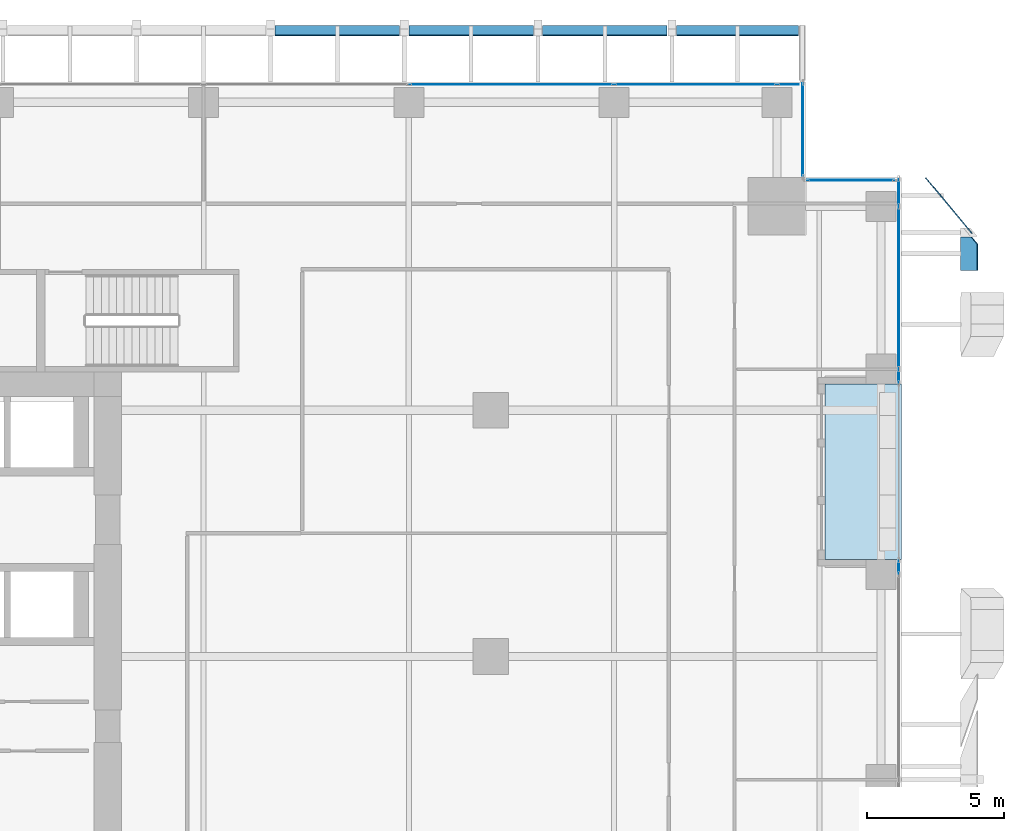
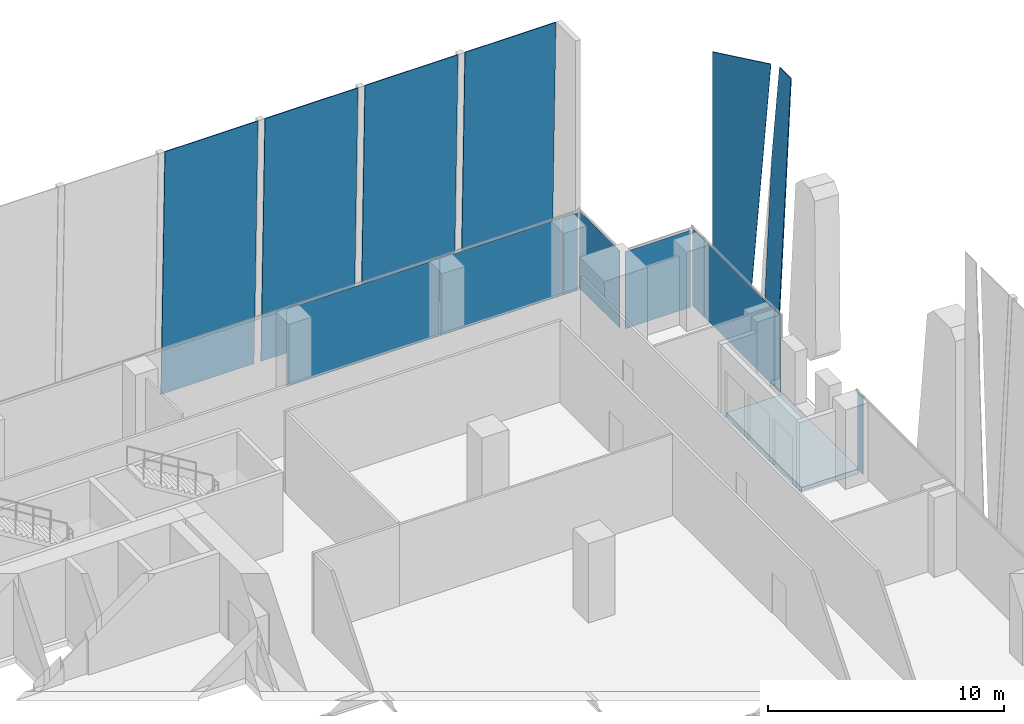
# One storey, part 26 of 35: 15 plates, 1 slab, 5 elements without a shape of their own.
"""IFC4 building model written with IfcOpenShell, lengths in metres."""

from ifc_helpers import new_model, si_unit, direction, frame, origin, origin_2d, place, context, subcontext, project, spatial, polyline, rectangle, outline, extrude, source, transform, mapped, material, layer, layer_set, type_object, element, aggregate, save


model = new_model("IFC4")

# Units and contexts
model_context = context("Model", 3, precision=1e-05, world=origin(), true_north=direction((0.0, 1.0)))
body_context = subcontext(model_context, "Body", "Model", "MODEL_VIEW")
ifc_project = project(units=[si_unit("LENGTHUNIT", "METRE"), si_unit("AREAUNIT", "SQUARE_METRE"), si_unit("VOLUMEUNIT", "CUBIC_METRE"), si_unit("PLANEANGLEUNIT", "RADIAN"), si_unit("MASSUNIT", "GRAM", prefix="KILO")], contexts=[model_context])

# Site, building, storey
site_placement = place(None, origin())
site = spatial("IfcSite", under=ifc_project, at=site_placement, CompositionType="ELEMENT")
building_placement = place(site_placement, origin())
building = spatial("IfcBuilding", under=site, at=building_placement, Name="Khomas Fold Tower", CompositionType="ELEMENT")
storey_placement = place(building_placement, frame((0.0, 0.0, 127.89990234375)))
storey = spatial("IfcBuildingStorey", under=building, at=storey_placement, Name="L27", CompositionType="ELEMENT", Elevation=127.89990234375)

# Plates
ifc_material_1 = material(Name="Clear laminated glass", Category="glass")
ifc_layer_1 = layer(ifc_material_1, 0.0400390625)
ifc_layer_set_1 = layer_set([ifc_layer_1], Name="Clear laminated glass")
plate_type_1 = type_object("IfcPlateType", Name="SK-Clear laminated glass leaf", PredefinedType="SHEET", material=ifc_layer_set_1)
plate_1_placement = place(storey_placement, frame((55.25830078125, 45.60009765625, 12.75), z_axis=(-0.998875188287, 7.7752314e-05, 0.047416792155), x_axis=(7.7664857e-05, 0.999999996977, -3.686765e-06)))
element("IfcPlate", 1, at=plate_1_placement, inside=storey, type_object=plate_type_1, Name="OUTER SKIN glass L27 EG106-11", PredefinedType="SHEET", context=body_context, shape_type="SweptSolid", body=[
    extrude(outline(polyline([(0.0, 0.0), (0.9694824189445347, 4.105917765560091e-22), (1.2299804799036271, 4.576183183202534), (1.2299804666069452, 12.764356498757895), (1.5748206985767067e-09, 12.764356498757895), (0.0, 0.0)])), origin(), (0.0, 0.0, -1.0), 0.0400390625),
])
plate_2_placement = place(storey_placement, frame((54.486328125, 47.696533203125, 0.0), z_axis=(0.768179771349, 0.640234206269, 3.629658e-06), x_axis=(0.047341412225, -0.056807859659, 0.997262080784)))
element("IfcPlate", 2, at=plate_2_placement, inside=storey, type_object=plate_type_1, Name="OUTER SKIN glass L27 EG107-13", PredefinedType="SHEET", context=body_context, shape_type="SweptSolid", body=[
    extrude(outline(polyline([(0.0, 0.0), (12.785004309143451, 0.0), (12.589611440366076, -2.635057959386061), (-0.12548008962909313, -1.6922178978149516), (0.0, 0.0)])), origin(), (0.0, 0.0, -1.0), 0.0400390625),
])
for number, where, z_axis, x_axis, name in (
    (3, (29.614501953125, 54.548583984375, 0.001220703125), (0.0, 0.999657592188, 0.026166741891), (1.0, 0.0, 0.0), "OUTER SKIN glass L27 N11"),
    (4, (34.50341796875, 54.548583984375, 0.001220703125), (0.0, 0.999657592188, 0.026166741891), (1.0, 0.0, 0.0), "OUTER SKIN glass L27 N13"),
    (5, (39.392333984375, 54.548583984375, 0.001220703125), (0.0, 0.999657592188, 0.026166741891), (1.0, 0.0, 0.0), "OUTER SKIN glass L27 N15"),
):
    element("IfcPlate", number, at=place(storey_placement, frame(where, z_axis=z_axis, x_axis=x_axis)), inside=storey, type_object=plate_type_1, Name=name, PredefinedType="SHEET", context=body_context, shape_type="SweptSolid", body=[
        extrude(outline(polyline([(0.0, 0.0), (4.548828125, 0.0), (4.548828125, -12.75436719496662), (0.0, -12.75436719496662), (0.0, 0.0)])), origin(), (0.0, 0.0, -1.0), 0.0400390625),
    ])
plate_3_placement = place(storey_placement, frame((44.281005859375, 54.548583984375, 0.001220703125), z_axis=(0.0, 0.999657592188, 0.026166741891), x_axis=(1.0, 0.0, 0.0)))
element("IfcPlate", 6, at=plate_3_placement, inside=storey, type_object=plate_type_1, Name="OUTER SKIN glass L27 N17", PredefinedType="SHEET", context=body_context, shape_type="SweptSolid", body=[
    extrude(outline(polyline([(0.0, 0.0), (4.448974609375, 0.0), (4.448974609375, -12.75436719496662), (0.0, -12.75436719496662), (0.0, 0.0)])), origin(), (0.0, 0.0, -1.0), 0.0400390625),
])

# Curtain wall, plate
ifc_material_2 = material(Name="Aluminium framed double glazing", Category="aluminium")
curtain_wall_type = type_object("IfcCurtainWallType", Name="SK-Unitised clear-glass wall, growing floors CW1", PredefinedType="NOTDEFINED", material=ifc_material_2)
curtain_wall_1_placement = place(storey_placement, origin())
curtain_wall_1 = element("IfcCurtainWall", 7, at=curtain_wall_1_placement, inside=storey, type_object=curtain_wall_type, Name="CW1 run L27 06-0", PredefinedType="NOTDEFINED")
ifc_material_3 = material(Name="Clear double glazed unit")
ifc_layer_2 = layer(ifc_material_3, 0.031982421875)
ifc_layer_set_2 = layer_set([ifc_layer_2], Name="Clear double glazed unit")
plate_type_2 = type_object("IfcPlateType", Name="SK-Unitised clear-glass wall, growing floors glass panel CW1-P", PredefinedType="CURTAIN_PANEL", material=ifc_layer_set_2)
shared_shape_1 = source(origin(), body_context, "Body", "SweptSolid", [
    extrude(rectangle(XDim=0.760009765625, YDim=0.031982421875, at=origin_2d()), origin(), (0.0, 0.0, 1.0), 3.97998046875),
])
plate_4_placement = place(storey_placement, frame((48.360107421875, 52.39990234375, 0.0), z_axis=(0.0, 0.0, 1.0), x_axis=(-1.0, 0.0, 0.0)))
plate_4 = element("IfcPlate", 8, at=plate_4_placement, type_object=plate_type_2, Name="CW1 glass panel 1", PredefinedType="CURTAIN_PANEL", context=body_context, shape_type="MappedRepresentation", body=[
    mapped(shared_shape_1, transform((0.0, 0.0, 0.0))),
])

curtain_wall_2_placement = place(storey_placement, origin())
curtain_wall_2 = element("IfcCurtainWall", 9, at=curtain_wall_2_placement, inside=storey, type_object=curtain_wall_type, Name="CW1 run L27 03-1", PredefinedType="NOTDEFINED")
shared_shape_2 = source(origin(), body_context, "Body", "SweptSolid", [
    extrude(rectangle(XDim=5.889892578125, YDim=0.031982421875, at=origin_2d()), origin(), (0.0, 0.0, 1.0), 3.97998046875),
])
plate_5_placement = place(storey_placement, frame((52.39990234375, 44.97509765625, 0.0), z_axis=(0.0, 0.0, 1.0), x_axis=(0.0, 1.0, 0.0)))
plate_5 = element("IfcPlate", 10, at=plate_5_placement, type_object=plate_type_2, Name="CW1 glass panel 2", PredefinedType="CURTAIN_PANEL", context=body_context, shape_type="MappedRepresentation", body=[
    mapped(shared_shape_2, transform((0.0, 0.0, 0.0))),
])

# Plate
plate_6_placement = place(storey_placement, frame((44.97509765625, 52.39990234375, 0.0), z_axis=(0.0, 0.0, 1.0), x_axis=(-1.0, 0.0, 0.0)))
plate_6 = element("IfcPlate", 11, at=plate_6_placement, type_object=plate_type_2, Name="CW1 glass panel 2", PredefinedType="CURTAIN_PANEL", context=body_context, shape_type="MappedRepresentation", body=[
    mapped(shared_shape_2, transform((0.0, 0.0, 0.0))),
])

shared_shape_3 = source(origin(), body_context, "Body", "SweptSolid", [
    extrude(rectangle(XDim=7.43994140625, YDim=0.031982421875, at=origin_2d()), origin(), (0.0, 0.0, 1.0), 3.97998046875),
])
plate_7_placement = place(storey_placement, frame((38.25, 52.39990234375, 0.0), z_axis=(0.0, 0.0, 1.0), x_axis=(-1.0, 0.0, 0.0)))
plate_7 = element("IfcPlate", 12, at=plate_7_placement, type_object=plate_type_2, Name="CW1 glass panel 3", PredefinedType="CURTAIN_PANEL", context=body_context, shape_type="MappedRepresentation", body=[
    mapped(shared_shape_3, transform((0.0, 0.0, 0.0))),
])

aggregate(curtain_wall_1, [plate_4, plate_6, plate_7])

shared_shape_4 = source(origin(), body_context, "Body", "SweptSolid", [
    extrude(rectangle(XDim=0.9599609375, YDim=0.031982421875, at=origin_2d()), origin(), (0.0, 0.0, 1.0), 3.97998046875),
])
plate_8_placement = place(storey_placement, frame((52.39990234375, 48.4599609375, 0.0), z_axis=(0.0, 0.0, 1.0), x_axis=(0.0, 1.0, 0.0)))
plate_8 = element("IfcPlate", 13, at=plate_8_placement, type_object=plate_type_2, Name="CW1 glass panel 3", PredefinedType="CURTAIN_PANEL", context=body_context, shape_type="MappedRepresentation", body=[
    mapped(shared_shape_4, transform((0.0, 0.0, 0.0))),
])

# Curtain wall, plate
curtain_wall_3_placement = place(storey_placement, origin())
curtain_wall_3 = element("IfcCurtainWall", 14, at=curtain_wall_3_placement, inside=storey, type_object=curtain_wall_type, Name="CW1 corner return L27 04", PredefinedType="NOTDEFINED")
shared_shape_5 = source(origin(), body_context, "Body", "SweptSolid", [
    extrude(rectangle(XDim=3.179931640625, YDim=0.031982421875, at=origin_2d()), origin(), (0.0, 0.0, 1.0), 3.97998046875),
])
plate_9_placement = place(storey_placement, frame((50.64990234375, 48.89990234375, 0.0), z_axis=(0.0, 0.0, 1.0), x_axis=(-1.0, 0.0, 0.0)))
plate_9 = element("IfcPlate", 15, at=plate_9_placement, type_object=plate_type_2, Name="CW1 glass panel 1", PredefinedType="CURTAIN_PANEL", context=body_context, shape_type="MappedRepresentation", body=[
    mapped(shared_shape_5, transform((0.0, 0.0, 0.0))),
])
aggregate(curtain_wall_3, [plate_9])

curtain_wall_4_placement = place(storey_placement, origin())
curtain_wall_4 = element("IfcCurtainWall", 16, at=curtain_wall_4_placement, inside=storey, type_object=curtain_wall_type, Name="CW1 corner return L27 05", PredefinedType="NOTDEFINED")
shared_shape_6 = source(origin(), body_context, "Body", "SweptSolid", [
    extrude(rectangle(XDim=3.3798828125, YDim=0.031982421875, at=origin_2d()), origin(), (0.0, 0.0, 1.0), 3.97998046875),
])
plate_10_placement = place(storey_placement, frame((48.89990234375, 50.75, 0.0), z_axis=(0.0, 0.0, 1.0), x_axis=(0.0, 1.0, 0.0)))
plate_10 = element("IfcPlate", 17, at=plate_10_placement, type_object=plate_type_2, Name="CW1 glass panel 1", PredefinedType="CURTAIN_PANEL", context=body_context, shape_type="MappedRepresentation", body=[
    mapped(shared_shape_6, transform((0.0, 0.0, 0.0))),
])
aggregate(curtain_wall_4, [plate_10])

curtain_wall_5_placement = place(storey_placement, origin())
curtain_wall_5 = element("IfcCurtainWall", 18, at=curtain_wall_5_placement, inside=storey, type_object=curtain_wall_type, Name="CW1 run L27 03-0", PredefinedType="NOTDEFINED")
shared_shape_7 = source(origin(), body_context, "Body", "SweptSolid", [
    extrude(rectangle(XDim=0.4599609375, YDim=0.031982421875, at=origin_2d()), origin(), (0.0, 0.0, 1.0), 3.97998046875),
])
plate_11_placement = place(storey_placement, frame((52.39990234375, 34.760009765625, 0.0), z_axis=(0.0, 0.0, 1.0), x_axis=(0.0, 1.0, 0.0)))
plate_11 = element("IfcPlate", 19, at=plate_11_placement, type_object=plate_type_2, Name="CW1 glass panel 6", PredefinedType="CURTAIN_PANEL", context=body_context, shape_type="MappedRepresentation", body=[
    mapped(shared_shape_7, transform((0.0, 0.0, 0.0))),
])
aggregate(curtain_wall_5, [plate_11])

# Plate
plate_12_placement = place(storey_placement, frame((52.39990234375, 41.739990234375, 0.0), z_axis=(0.0, 0.0, 1.0), x_axis=(0.0, 1.0, 0.0)))
plate_12 = element("IfcPlate", 20, at=plate_12_placement, type_object=plate_type_2, Name="CW1 glass panel 1", PredefinedType="CURTAIN_PANEL", context=body_context, shape_type="MappedRepresentation", body=[
    mapped(shared_shape_7, transform((0.0, 0.0, 0.0))),
])

aggregate(curtain_wall_2, [plate_12, plate_5, plate_8])

# Slab
ifc_material_4 = material(Name="Concrete C40/50", Category="concrete")
ifc_layer_3 = layer(ifc_material_4, 0.2548828125)
ifc_layer_set_3 = layer_set([ifc_layer_3], Name="Concrete C40/50")
slab_type = type_object("IfcSlabType", Name="BL-Balcony deck 255", PredefinedType="FLOOR", material=ifc_layer_set_3)
shared_shape_8 = source(origin(), body_context, "Body", "SweptSolid", [
    extrude(outline(polyline([(49.699951171875, 35.050048828125), (52.5, 35.050048828125), (52.5, 41.449951171875), (49.699951171875, 41.449951171875), (49.699951171875, 35.050048828125)])), origin(), (0.0, 0.0, 1.0), 0.2548828125),
])
slab_placement = place(storey_placement, frame((0.0, 0.0, -0.2998046875)))
element("IfcSlab", 21, at=slab_placement, inside=storey, type_object=slab_type, Name="Balcony deck BAL-L27-E4", PredefinedType="FLOOR", context=body_context, shape_type="MappedRepresentation", body=[
    mapped(shared_shape_8, transform((0.0, 0.0, 0.0))),
])

save(model, "model.ifc")
